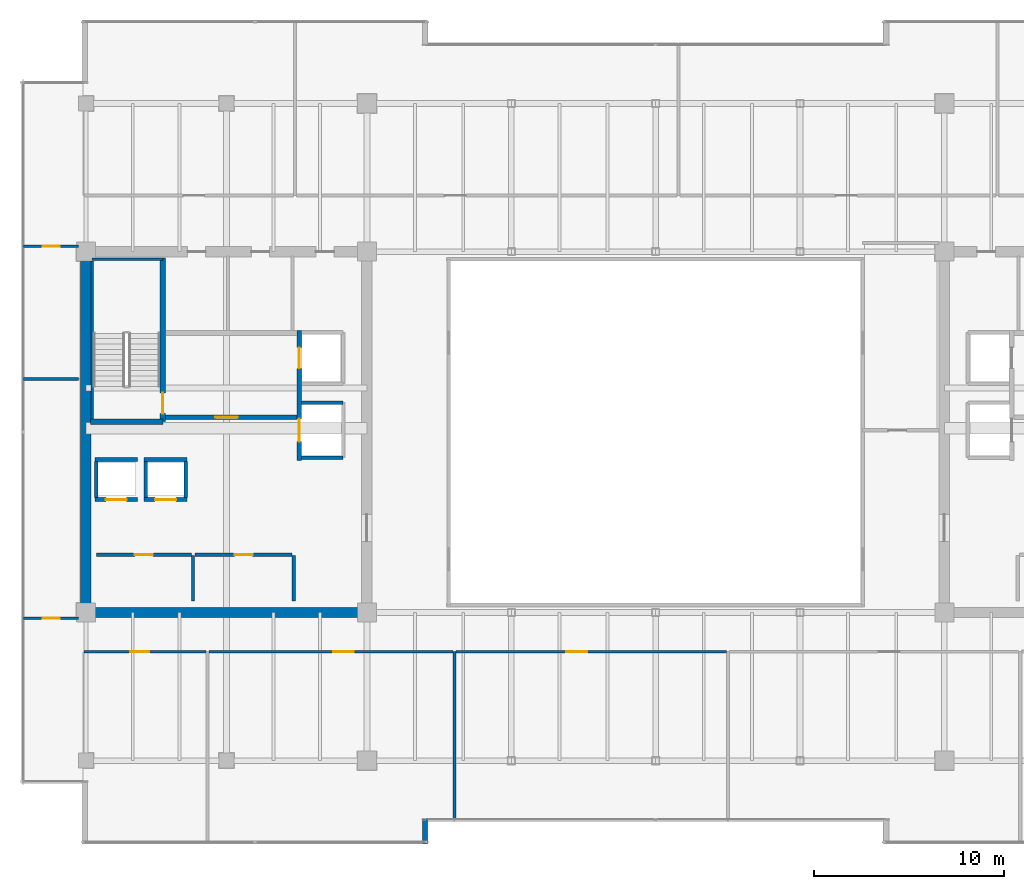
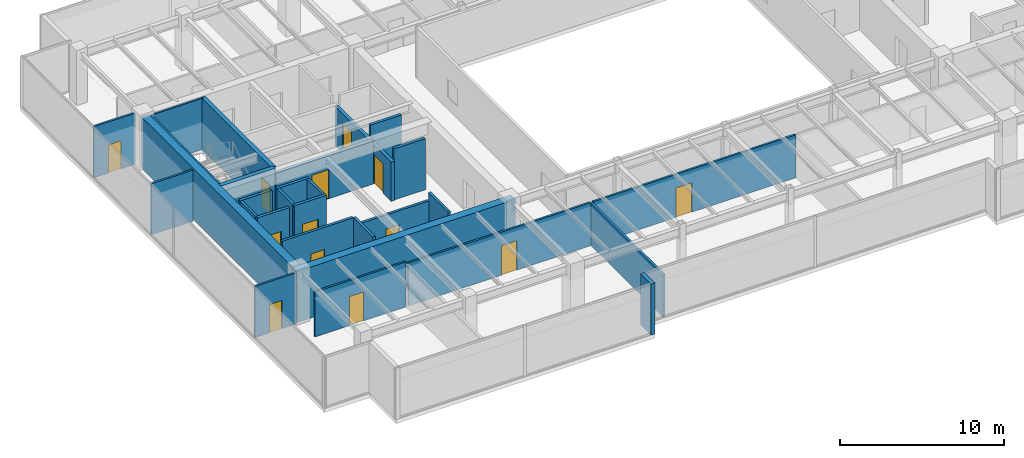
# One storey, part 28 of 35: 29 walls, 13 doors, 13 openings.
"""IFC4 building model written with IfcOpenShell, lengths in metres."""

from ifc_helpers import new_model, si_unit, direction, frame, frame_2d, origin, place, context, subcontext, project, spatial, rectangle, extrude, source, transform, mapped, material, layer, layer_set, type_object, type_shapes, element, fill, save


model = new_model("IFC4")

# Units and contexts
model_context = context("Model", 3, precision=1e-05, world=origin(), true_north=direction((0.0, 1.0)))
body_context = subcontext(model_context, "Body", "Model", "MODEL_VIEW")
ifc_project = project(units=[si_unit("LENGTHUNIT", "METRE"), si_unit("AREAUNIT", "SQUARE_METRE"), si_unit("VOLUMEUNIT", "CUBIC_METRE"), si_unit("PLANEANGLEUNIT", "RADIAN"), si_unit("MASSUNIT", "GRAM", prefix="KILO")], contexts=[model_context])

# Site, building, storey
site_placement = place(None, origin())
site = spatial("IfcSite", under=ifc_project, at=site_placement, CompositionType="ELEMENT")
building_placement = place(site_placement, origin())
building = spatial("IfcBuilding", under=site, at=building_placement, Name="Haelvirn Gate Laboratories", CompositionType="ELEMENT")
storey_placement = place(building_placement, frame((0.0, 0.0, 221.89990234375)))
storey = spatial("IfcBuildingStorey", under=building, at=storey_placement, Name="L53", CompositionType="ELEMENT", Elevation=221.89990234375)

# Walls
ifc_material_1 = material(Name="Thermally-broken bronze aluminium rainscreen & mineral wool", Category="aluminium")
ifc_layer_1 = layer(ifc_material_1, 0.280029296875, Name="EW-TERR-280")
ifc_layer_set_1 = layer_set([ifc_layer_1], Name="Thermally-broken bronze aluminium rainscreen & mineral wool")
wall_type_1 = type_object("IfcWallType", Name="EW-TERR-280", PredefinedType="STANDARD", material=ifc_layer_set_1)
wall_1_placement = place(storey_placement, frame((25.260009765625, 2.60009765625, 0.0), z_axis=(0.0, 0.0, 1.0), x_axis=(0.0, 1.0, 0.0)))
element("IfcWall", 1, at=wall_1_placement, inside=storey, type_object=wall_type_1, Name="L53 Atrium Recess Bronze Return Wall 01", PredefinedType="STANDARD", context=body_context, shape_type="SweptSolid", body=[
    extrude(rectangle(XDim=1.29296875, YDim=0.280029296875, at=frame_2d((0.646484375, 0.0))), origin(), (0.0, 0.0, 1.0), 3.800048828125),
])
ifc_material_2 = material(Name="Double-layer acoustic gypsum laboratory partition", Category="gypsum")
ifc_layer_2 = layer(ifc_material_2, 0.159912109375, Name="IW-ACOUST-160")
ifc_layer_set_2 = layer_set([ifc_layer_2], Name="Double-layer acoustic gypsum laboratory partition")
wall_type_2 = type_object("IfcWallType", Name="IW-ACOUST-160", PredefinedType="PARTITIONING", material=ifc_layer_set_2)
wall_2_placement = place(storey_placement, frame((26.800048828125, 3.909912109375, 0.0), z_axis=(0.0, 0.0, 1.0), x_axis=(0.0, 1.0, 0.0)))
element("IfcWall", 2, at=wall_2_placement, inside=storey, type_object=wall_type_2, Name="L53 Interior Wall IW-L53-SDIV-02", PredefinedType="PARTITIONING", context=body_context, shape_type="SweptSolid", body=[
    extrude(rectangle(XDim=8.830078125, YDim=0.159912109375, at=frame_2d((4.4150390625, 0.0))), origin(), (0.0, 0.0, 1.0), 3.135009765625),
])

# Wall, opening, door
ifc_material_3 = material(Name="Acoustic mineral-wool gypsum board partition", Category="gypsum")
ifc_layer_3 = layer(ifc_material_3, 0.139892578125, Name="IW-PART-140")
ifc_layer_set_3 = layer_set([ifc_layer_3], Name="Acoustic mineral-wool gypsum board partition")
wall_type_3 = type_object("IfcWallType", Name="IW-PART-140", PredefinedType="PARTITIONING", material=ifc_layer_set_3)
wall_3_placement = place(storey_placement, frame((7.31005859375, 12.739990234375, 0.0), z_axis=(0.0, 0.0, 1.0), x_axis=(1.0, 0.0, 0.0)))
wall_3 = element("IfcWall", 3, at=wall_3_placement, inside=storey, type_object=wall_type_3, Name="L53 Interior Wall IW-L53-SCORR-01", PredefinedType="PARTITIONING", context=body_context, shape_type="SweptSolid", body=[
    extrude(rectangle(XDim=6.409912109375, YDim=0.139892578125, at=frame_2d((3.205078125, 0.0))), origin(), (0.0, 0.0, 1.0), 3.335205078125),
])
opening_1_placement = place(wall_3_placement, frame((2.42236328125, 0.0, 0.0)))
opening_1 = element("IfcOpeningElement", 4, at=opening_1_placement, cuts=wall_3, Name="Opening D2", PredefinedType="OPENING", context=body_context, shape_type="SweptSolid", body=[
    extrude(rectangle(XDim=1.0, YDim=2.14990234375, at=frame_2d((0.5, 1.074951171875))), frame((0.0, 0.080078125, 0.0), z_axis=(0.0, -1.0, 0.0), x_axis=(1.0, 0.0, 0.0)), (0.0, 0.0, 1.0), 0.159912109375),
])
ifc_material_4 = material(Name="Acoustic solid-core timber suite door", Category="wood")
door_type_1 = type_object("IfcDoorType", Name="DR-INT-1000", OperationType="NOTDEFINED", PredefinedType="DOOR", material=ifc_material_4)
shared_shape_1 = source(origin(), body_context, "Body", "SweptSolid", [
    extrude(rectangle(XDim=1.0, YDim=2.14990234375, at=frame_2d((0.5, 1.074951171875))), frame((0.0, 0.02490234375, 0.0), z_axis=(0.0, -1.0, 0.0), x_axis=(1.0, 0.0, 0.0)), (0.0, 0.0, 1.0), 0.050048828125),
])
type_shapes(door_type_1, [shared_shape_1])
door_1_placement = place(opening_1_placement, origin())
door_1 = element("IfcDoor", 5, at=door_1_placement, inside=storey, type_object=door_type_1, Name="L53 Translational Data Office Door S1", OperationType="SINGLE_SWING_RIGHT", OverallHeight=2.14990234375, OverallWidth=1.0, PredefinedType="DOOR", context=body_context, shape_type="MappedRepresentation", body=[
    mapped(shared_shape_1, transform((0.0, 0.0, 0.0), scale=1.0)),
])
fill(opening_1, door_1)

wall_4_placement = place(storey_placement, frame((13.8798828125, 12.739990234375, 0.0), z_axis=(0.0, 0.0, 1.0), x_axis=(1.0, 0.0, 0.0)))
wall_4 = element("IfcWall", 6, at=wall_4_placement, inside=storey, type_object=wall_type_3, Name="L53 Interior Wall IW-L53-SCORR-02", PredefinedType="PARTITIONING", context=body_context, shape_type="SweptSolid", body=[
    extrude(rectangle(XDim=12.840087890625, YDim=0.139892578125, at=frame_2d((6.419921875, 0.0))), origin(), (0.0, 0.0, 1.0), 3.197021484375),
])
opening_2_placement = place(wall_4_placement, frame((6.532470703125, 0.0, 0.0)))
opening_2 = element("IfcOpeningElement", 7, at=opening_2_placement, cuts=wall_4, Name="Opening D1", PredefinedType="OPENING", context=body_context, shape_type="SweptSolid", body=[
    extrude(rectangle(XDim=1.10009765625, YDim=2.179931640625, at=frame_2d((0.550048828125, 1.08984375))), frame((0.0, 0.080078125, 0.0), z_axis=(0.0, -1.0, 0.0), x_axis=(1.0, 0.0, 0.0)), (0.0, 0.0, 1.0), 0.159912109375),
])
ifc_material_5 = material(Name="Vision-panel acoustic solid-core timber lab door", Category="wood")
door_type_2 = type_object("IfcDoorType", Name="DR-LAB-1100", OperationType="NOTDEFINED", PredefinedType="DOOR", material=ifc_material_5)
shared_shape_2 = source(origin(), body_context, "Body", "SweptSolid", [
    extrude(rectangle(XDim=1.10009765625, YDim=2.179931640625, at=frame_2d((0.550048828125, 1.08984375))), frame((0.0, 0.02490234375, 0.0), z_axis=(0.0, -1.0, 0.0), x_axis=(1.0, 0.0, 0.0)), (0.0, 0.0, 1.0), 0.050048828125),
])
type_shapes(door_type_2, [shared_shape_2])
door_2_placement = place(opening_2_placement, origin())
door_2 = element("IfcDoor", 8, at=door_2_placement, inside=storey, type_object=door_type_2, Name="L53 Computational Write-Up Office Door S2", OperationType="SINGLE_SWING_LEFT", OverallHeight=2.179931640625, OverallWidth=1.10009765625, PredefinedType="DOOR", context=body_context, shape_type="MappedRepresentation", body=[
    mapped(shared_shape_2, transform((0.0, 0.0, 0.0), scale=1.0)),
])
fill(opening_2, door_2)

wall_5_placement = place(storey_placement, frame((26.8798828125, 12.739990234375, 0.0), z_axis=(0.0, 0.0, 1.0), x_axis=(1.0, 0.0, 0.0)))
wall_5 = element("IfcWall", 9, at=wall_5_placement, inside=storey, type_object=wall_type_3, Name="L53 Interior Wall IW-L53-SCORR-03", PredefinedType="PARTITIONING", context=body_context, shape_type="SweptSolid", body=[
    extrude(rectangle(XDim=14.240234375, YDim=0.139892578125, at=frame_2d((7.1201171875, 0.0))), origin(), (0.0, 0.0, 1.0), 3.197021484375),
])
opening_3_placement = place(wall_5_placement, frame((5.823486328125, 0.0, 0.0)))
opening_3 = element("IfcOpeningElement", 10, at=opening_3_placement, cuts=wall_5, Name="Opening D1", PredefinedType="OPENING", context=body_context, shape_type="SweptSolid", body=[
    extrude(rectangle(XDim=1.10009765625, YDim=2.179931640625, at=frame_2d((0.550048828125, 1.08984375))), frame((0.0, 0.080078125, 0.0), z_axis=(0.0, -1.0, 0.0), x_axis=(1.0, 0.0, 0.0)), (0.0, 0.0, 1.0), 0.159912109375),
])
door_3_placement = place(opening_3_placement, origin())
door_3 = element("IfcDoor", 11, at=door_3_placement, inside=storey, type_object=door_type_2, Name="L53 Bioinformatics Dry-Lab Workspace Door S3", OperationType="SINGLE_SWING_RIGHT", OverallHeight=2.179931640625, OverallWidth=1.10009765625, PredefinedType="DOOR", context=body_context, shape_type="MappedRepresentation", body=[
    mapped(shared_shape_2, transform((0.0, 0.0, 0.0), scale=1.0)),
])
fill(opening_3, door_3)

# Wall
wall_6_placement = place(storey_placement, frame((4.110107421875, 27.10009765625, 0.0), z_axis=(0.0, 0.0, 1.0), x_axis=(1.0, 0.0, 0.0)))
element("IfcWall", 12, at=wall_6_placement, inside=storey, type_object=wall_type_3, Name="L53 Interior Wall IW-L53-WZ3-MID", PredefinedType="PARTITIONING", context=body_context, shape_type="SweptSolid", body=[
    extrude(rectangle(XDim=2.909912109375, YDim=0.139892578125, at=frame_2d((1.455078125, 0.0))), origin(), (0.0, 0.0, 1.0), 3.800048828125),
])

# Wall, opening, door
wall_7_placement = place(storey_placement, frame((4.110107421875, 14.5048828125, 0.0), z_axis=(0.0, 0.0, 1.0), x_axis=(1.0, 0.0, 0.0)))
wall_7 = element("IfcWall", 13, at=wall_7_placement, inside=storey, type_object=wall_type_3, Name="L53 Interior Wall IW-L53-WZ3-ENT-S", PredefinedType="PARTITIONING", context=body_context, shape_type="SweptSolid", body=[
    extrude(rectangle(XDim=2.909912109375, YDim=0.139892578125, at=frame_2d((1.455078125, 0.0))), origin(), (0.0, 0.0, 1.0), 3.800048828125),
])
opening_4_placement = place(wall_7_placement, frame((1.0048828125, 0.0, 0.0)))
opening_4 = element("IfcOpeningElement", 14, at=opening_4_placement, cuts=wall_7, Name="Opening D4", PredefinedType="OPENING", context=body_context, shape_type="SweptSolid", body=[
    extrude(rectangle(XDim=0.89990234375, YDim=2.10009765625, at=frame_2d((0.449951171875, 1.050048828125))), frame((0.0, 0.080078125, 0.0), z_axis=(0.0, -1.0, 0.0), x_axis=(1.0, 0.0, 0.0)), (0.0, 0.0, 1.0), 0.159912109375),
])
ifc_material_6 = material(Name="Glazed aluminium-framed write-up door", Category="aluminium")
door_type_3 = type_object("IfcDoorType", Name="DR-OFF-900", OperationType="NOTDEFINED", PredefinedType="DOOR", material=ifc_material_6)
shared_shape_3 = source(origin(), body_context, "Body", "SweptSolid", [
    extrude(rectangle(XDim=0.89990234375, YDim=2.10009765625, at=frame_2d((0.449951171875, 1.050048828125))), frame((0.0, 0.02490234375, 0.0), z_axis=(0.0, -1.0, 0.0), x_axis=(1.0, 0.0, 0.0)), (0.0, 0.0, 1.0), 0.050048828125),
])
type_shapes(door_type_3, [shared_shape_3])
door_4_placement = place(opening_4_placement, origin())
door_4 = element("IfcDoor", 15, at=door_4_placement, inside=storey, type_object=door_type_3, Name="L53 Cleanroom Metrology Suite Door W-S", OperationType="SINGLE_SWING_LEFT", OverallHeight=2.10009765625, OverallWidth=0.89990234375, PredefinedType="DOOR", context=body_context, shape_type="MappedRepresentation", body=[
    mapped(shared_shape_3, transform((0.0, 0.0, 0.0), scale=1.0)),
])
fill(opening_4, door_4)

wall_8_placement = place(storey_placement, frame((4.110107421875, 34.094970703125, 0.0), z_axis=(0.0, 0.0, 1.0), x_axis=(1.0, 0.0, 0.0)))
wall_8 = element("IfcWall", 16, at=wall_8_placement, inside=storey, type_object=wall_type_3, Name="L53 Interior Wall IW-L53-WZ3-ENT-N", PredefinedType="PARTITIONING", context=body_context, shape_type="SweptSolid", body=[
    extrude(rectangle(XDim=2.909912109375, YDim=0.139892578125, at=frame_2d((1.455078125, 0.0))), origin(), (0.0, 0.0, 1.0), 3.800048828125),
])
opening_5_placement = place(wall_8_placement, frame((1.0048828125, 0.0, 0.0)))
opening_5 = element("IfcOpeningElement", 17, at=opening_5_placement, cuts=wall_8, Name="Opening D4", PredefinedType="OPENING", context=body_context, shape_type="SweptSolid", body=[
    extrude(rectangle(XDim=0.89990234375, YDim=2.10009765625, at=frame_2d((0.449951171875, 1.050048828125))), frame((0.0, 0.080078125, 0.0), z_axis=(0.0, -1.0, 0.0), x_axis=(1.0, 0.0, 0.0)), (0.0, 0.0, 1.0), 0.159912109375),
])
door_5_placement = place(opening_5_placement, origin())
door_5 = element("IfcDoor", 18, at=door_5_placement, inside=storey, type_object=door_type_3, Name="L53 Floor Hydration & Tea Servery Door W-N", OperationType="SINGLE_SWING_RIGHT", OverallHeight=2.10009765625, OverallWidth=0.89990234375, PredefinedType="DOOR", context=body_context, shape_type="MappedRepresentation", body=[
    mapped(shared_shape_3, transform((0.0, 0.0, 0.0), scale=1.0)),
])
fill(opening_5, door_5)

# Walls
ifc_material_7 = material(Name="Concrete C40/50", Category="concrete")
ifc_layer_4 = layer(ifc_material_7, 0.179931640625, Name="IW-SHAFT-180")
ifc_layer_set_4 = layer_set([ifc_layer_4], Name="Concrete C40/50")
wall_type_4 = type_object("IfcWallType", Name="IW-SHAFT-180", PredefinedType="SOLIDWALL", material=ifc_layer_set_4)
for number, where, z_axis, x_axis, name in (
    (19, (7.949951171875, 20.85009765625, 0.0), (0.0, 0.0, 1.0), (0.0, 1.0, 0.0), "L53 Interior Wall IW-L53-PL9-SD"),
    (20, (10.550048828125, 20.85009765625, 0.0), (0.0, 0.0, 1.0), (0.0, 1.0, 0.0), "L53 Interior Wall IW-L53-PL10-SD"),
    (21, (12.64990234375, 20.85009765625, 0.0), (0.0, 0.0, 1.0), (0.0, 1.0, 0.0), "L53 Interior Wall IW-L53-PL10-SDE"),
):
    element("IfcWall", number, at=place(storey_placement, frame(where, z_axis=z_axis, x_axis=x_axis)), inside=storey, type_object=wall_type_4, Name=name, PredefinedType="SOLIDWALL", context=body_context, shape_type="SweptSolid", body=[
        extrude(rectangle(XDim=1.89990234375, YDim=0.179931640625, at=frame_2d((0.949951171875, 0.0))), origin(), (0.0, 0.0, 1.0), 3.800048828125),
    ])

# Wall, opening, door
wall_9_placement = place(storey_placement, frame((7.949951171875, 17.85009765625, 0.0), z_axis=(0.0, 0.0, 1.0), x_axis=(1.0, 0.0, 0.0)))
wall_9 = element("IfcWall", 22, at=wall_9_placement, inside=storey, type_object=wall_type_4, Name="L53 Interior Wall IW-L53-W-FREED-HN-1", PredefinedType="SOLIDWALL", context=body_context, shape_type="SweptSolid", body=[
    extrude(rectangle(XDim=5.0, YDim=0.179931640625, at=frame_2d((2.5, 0.0))), origin(), (0.0, 0.0, 1.0), 3.800048828125),
])
opening_6_placement = place(wall_9_placement, frame((2.02490234375, 0.0, 0.0)))
opening_6 = element("IfcOpeningElement", 23, at=opening_6_placement, cuts=wall_9, Name="Opening FD4", PredefinedType="OPENING", context=body_context, shape_type="SweptSolid", body=[
    extrude(rectangle(XDim=0.949951171875, YDim=2.14990234375, at=frame_2d((0.47509765625, 1.074951171875))), frame((0.0, 0.10009765625, 0.0), z_axis=(0.0, -1.0, 0.0), x_axis=(1.0, 0.0, 0.0)), (0.0, 0.0, 1.0), 0.199951171875),
])
ifc_material_8 = material(Name="Fire-rated steel SM355 core service door", Category="steel")
door_type_4 = type_object("IfcDoorType", Name="DR-FD-950", OperationType="NOTDEFINED", PredefinedType="DOOR", material=ifc_material_8)
shared_shape_4 = source(origin(), body_context, "Body", "SweptSolid", [
    extrude(rectangle(XDim=0.949951171875, YDim=2.14990234375, at=frame_2d((0.47509765625, 1.074951171875))), frame((0.0, 0.02490234375, 0.0), z_axis=(0.0, -1.0, 0.0), x_axis=(1.0, 0.0, 0.0)), (0.0, 0.0, 1.0), 0.050048828125),
])
type_shapes(door_type_4, [shared_shape_4])
door_6_placement = place(opening_6_placement, origin())
door_6 = element("IfcDoor", 24, at=door_6_placement, inside=storey, type_object=door_type_4, Name="L53 Cryogenic Specimen Biobank Door", OperationType="SINGLE_SWING_LEFT", OverallHeight=2.14990234375, OverallWidth=0.949951171875, PredefinedType="DOOR", context=body_context, shape_type="MappedRepresentation", body=[
    mapped(shared_shape_4, transform((0.0, 0.0, 0.0), scale=1.0)),
])
fill(opening_6, door_6)

# Wall
wall_10_placement = place(storey_placement, frame((13.0400390625, 15.39990234375, 0.0), z_axis=(0.0, 0.0, 1.0), x_axis=(0.0, 1.0, 0.0)))
element("IfcWall", 25, at=wall_10_placement, inside=storey, type_object=wall_type_4, Name="L53 Interior Wall IW-L53-W-FREED-HE-1", PredefinedType="SOLIDWALL", context=body_context, shape_type="SweptSolid", body=[
    extrude(rectangle(XDim=2.400146484375, YDim=0.179931640625, at=frame_2d((1.2001953125, 0.0))), origin(), (0.0, 0.0, 1.0), 3.800048828125),
])

# Wall, opening, door
wall_11_placement = place(storey_placement, frame((13.14990234375, 17.85009765625, 0.0), z_axis=(0.0, 0.0, 1.0), x_axis=(1.0, 0.0, 0.0)))
wall_11 = element("IfcWall", 26, at=wall_11_placement, inside=storey, type_object=wall_type_4, Name="L53 Interior Wall IW-L53-W-FREED-HN-2", PredefinedType="SOLIDWALL", context=body_context, shape_type="SweptSolid", body=[
    extrude(rectangle(XDim=5.10009765625, YDim=0.179931640625, at=frame_2d((2.550048828125, 0.0))), origin(), (0.0, 0.0, 1.0), 3.197021484375),
])
opening_7_placement = place(wall_11_placement, frame((2.074951171875, 0.0, 0.0)))
opening_7 = element("IfcOpeningElement", 27, at=opening_7_placement, cuts=wall_11, Name="Opening FD4", PredefinedType="OPENING", context=body_context, shape_type="SweptSolid", body=[
    extrude(rectangle(XDim=0.949951171875, YDim=2.14990234375, at=frame_2d((0.47509765625, 1.074951171875))), frame((0.0, 0.10009765625, 0.0), z_axis=(0.0, -1.0, 0.0), x_axis=(1.0, 0.0, 0.0)), (0.0, 0.0, 1.0), 0.199951171875),
])
door_7_placement = place(opening_7_placement, origin())
door_7 = element("IfcDoor", 28, at=door_7_placement, inside=storey, type_object=door_type_4, Name="L53 Cryo-Assay Preparation Laboratory Door", OperationType="SINGLE_SWING_RIGHT", OverallHeight=2.14990234375, OverallWidth=0.949951171875, PredefinedType="DOOR", context=body_context, shape_type="MappedRepresentation", body=[
    mapped(shared_shape_4, transform((0.0, 0.0, 0.0), scale=1.0)),
])
fill(opening_7, door_7)

# Wall
wall_12_placement = place(storey_placement, frame((18.340087890625, 15.39990234375, 0.0), z_axis=(0.0, 0.0, 1.0), x_axis=(0.0, 1.0, 0.0)))
element("IfcWall", 29, at=wall_12_placement, inside=storey, type_object=wall_type_4, Name="L53 Interior Wall IW-L53-W-FREED-HE-2", PredefinedType="SOLIDWALL", context=body_context, shape_type="SweptSolid", body=[
    extrude(rectangle(XDim=2.400146484375, YDim=0.179931640625, at=frame_2d((1.2001953125, 0.0))), origin(), (0.0, 0.0, 1.0), 3.800048828125),
])

# Wall, opening, door
ifc_layer_5 = layer(ifc_material_7, 0.199951171875, Name="IW-SHAFT-200")
ifc_layer_set_5 = layer_set([ifc_layer_5], Name="Concrete C40/50")
wall_type_5 = type_object("IfcWallType", Name="IW-SHAFT-200", PredefinedType="SOLIDWALL", material=ifc_layer_set_5)
wall_13_placement = place(storey_placement, frame((7.8701171875, 20.75, 0.0), z_axis=(0.0, 0.0, 1.0), x_axis=(1.0, 0.0, 0.0)))
wall_13 = element("IfcWall", 30, at=wall_13_placement, inside=storey, type_object=wall_type_5, Name="L53 Interior Wall IW-L53-PL9-FR", PredefinedType="SOLIDWALL", context=body_context, shape_type="SweptSolid", body=[
    extrude(rectangle(XDim=2.259765625, YDim=0.199951171875, at=frame_2d((1.1298828125, 0.0))), origin(), (0.0, 0.0, 1.0), 3.800048828125),
])
opening_8_placement = place(wall_13_placement, frame((0.580078125, 0.0, 0.0)))
opening_8 = element("IfcOpeningElement", 31, at=opening_8_placement, cuts=wall_13, Name="Opening LD2", PredefinedType="OPENING", context=body_context, shape_type="SweptSolid", body=[
    extrude(rectangle(XDim=1.10009765625, YDim=2.219970703125, at=frame_2d((0.550048828125, 1.10986328125))), frame((0.0, 0.10986328125, 0.0), z_axis=(0.0, -1.0, 0.0), x_axis=(1.0, 0.0, 0.0)), (0.0, 0.0, 1.0), 0.219970703125),
])
ifc_material_9 = material(Name="Bronze stainless 316L sliding lift landing door")
door_type_5 = type_object("IfcDoorType", Name="DR-LD-1100", OperationType="NOTDEFINED", PredefinedType="USERDEFINED", material=ifc_material_9)
shared_shape_5 = source(origin(), body_context, "Body", "SweptSolid", [
    extrude(rectangle(XDim=1.10009765625, YDim=2.219970703125, at=frame_2d((0.550048828125, 1.10986328125))), frame((0.0, 0.02490234375, 0.0), z_axis=(0.0, -1.0, 0.0), x_axis=(1.0, 0.0, 0.0)), (0.0, 0.0, 1.0), 0.050048828125),
])
type_shapes(door_type_5, [shared_shape_5])
door_8_placement = place(opening_8_placement, origin())
door_8 = element("IfcDoor", 32, at=door_8_placement, inside=storey, type_object=door_type_5, Name="L53 Passenger Lift PL9 Landing Door", ObjectType="LANDING_DOOR", OperationType="SLIDING_TO_LEFT", OverallHeight=2.219970703125, OverallWidth=1.10009765625, PredefinedType="USERDEFINED", context=body_context, shape_type="MappedRepresentation", body=[
    mapped(shared_shape_5, transform((0.0, 0.0, 0.0), scale=1.0)),
])
fill(opening_8, door_8)

# Wall
wall_14_placement = place(storey_placement, frame((7.8701171875, 22.85009765625, 0.0), z_axis=(0.0, 0.0, 1.0), x_axis=(1.0, 0.0, 0.0)))
element("IfcWall", 33, at=wall_14_placement, inside=storey, type_object=wall_type_5, Name="L53 Interior Wall IW-L53-PL9-BK", PredefinedType="SOLIDWALL", context=body_context, shape_type="SweptSolid", body=[
    extrude(rectangle(XDim=2.259765625, YDim=0.199951171875, at=frame_2d((1.1298828125, 0.0))), origin(), (0.0, 0.0, 1.0), 3.800048828125),
])

# Wall, opening, door
wall_15_placement = place(storey_placement, frame((10.469970703125, 20.75, 0.0), z_axis=(0.0, 0.0, 1.0), x_axis=(1.0, 0.0, 0.0)))
wall_15 = element("IfcWall", 34, at=wall_15_placement, inside=storey, type_object=wall_type_5, Name="L53 Interior Wall IW-L53-PL10-FR", PredefinedType="SOLIDWALL", context=body_context, shape_type="SweptSolid", body=[
    extrude(rectangle(XDim=2.260009765625, YDim=0.199951171875, at=frame_2d((1.1298828125, 0.0))), origin(), (0.0, 0.0, 1.0), 3.800048828125),
])
opening_9_placement = place(wall_15_placement, frame((0.580078125, 0.0, 0.0)))
opening_9 = element("IfcOpeningElement", 35, at=opening_9_placement, cuts=wall_15, Name="Opening LD2", PredefinedType="OPENING", context=body_context, shape_type="SweptSolid", body=[
    extrude(rectangle(XDim=1.10009765625, YDim=2.219970703125, at=frame_2d((0.550048828125, 1.10986328125))), frame((0.0, 0.10986328125, 0.0), z_axis=(0.0, -1.0, 0.0), x_axis=(1.0, 0.0, 0.0)), (0.0, 0.0, 1.0), 0.219970703125),
])
door_9_placement = place(opening_9_placement, origin())
door_9 = element("IfcDoor", 36, at=door_9_placement, inside=storey, type_object=door_type_5, Name="L53 Passenger Lift PL10 Landing Door", ObjectType="LANDING_DOOR", OperationType="SLIDING_TO_RIGHT", OverallHeight=2.219970703125, OverallWidth=1.10009765625, PredefinedType="USERDEFINED", context=body_context, shape_type="MappedRepresentation", body=[
    mapped(shared_shape_5, transform((0.0, 0.0, 0.0), scale=1.0)),
])
fill(opening_9, door_9)

# Walls
wall_16_placement = place(storey_placement, frame((10.469970703125, 22.85009765625, 0.0), z_axis=(0.0, 0.0, 1.0), x_axis=(1.0, 0.0, 0.0)))
element("IfcWall", 37, at=wall_16_placement, inside=storey, type_object=wall_type_5, Name="L53 Interior Wall IW-L53-PL10-BK", PredefinedType="SOLIDWALL", context=body_context, shape_type="SweptSolid", body=[
    extrude(rectangle(XDim=2.260009765625, YDim=0.199951171875, at=frame_2d((1.1298828125, 0.0))), origin(), (0.0, 0.0, 1.0), 3.800048828125),
])
for number, where, z_axis, x_axis, name in (
    (38, (18.760009765625, 25.85009765625, 0.0), (0.0, 0.0, 1.0), (1.0, 0.0, 0.0), "L53 Interior Wall IW-L53-SL1-N"),
    (39, (18.760009765625, 22.949951171875, 0.0), (0.0, 0.0, 1.0), (1.0, 0.0, 0.0), "L53 Interior Wall IW-L53-SL1-S"),
):
    element("IfcWall", number, at=place(storey_placement, frame(where, z_axis=z_axis, x_axis=x_axis)), inside=storey, type_object=wall_type_5, Name=name, PredefinedType="SOLIDWALL", context=body_context, shape_type="SweptSolid", body=[
        extrude(rectangle(XDim=2.18994140625, YDim=0.199951171875, at=frame_2d((1.094970703125, 0.0))), origin(), (0.0, 0.0, 1.0), 3.800048828125),
    ])

# Wall, opening, door
ifc_layer_6 = layer(ifc_material_7, 0.239990234375, Name="IW-SHAFT-240")
ifc_layer_set_6 = layer_set([ifc_layer_6], Name="Concrete C40/50")
wall_type_6 = type_object("IfcWallType", Name="IW-SHAFT-240", PredefinedType="SOLIDWALL", material=ifc_layer_set_6)
wall_17_placement = place(storey_placement, frame((11.60009765625, 25.080078125, 0.0), z_axis=(0.0, 0.0, 1.0), x_axis=(1.0, 0.0, 0.0)))
wall_17 = element("IfcWall", 40, at=wall_17_placement, inside=storey, type_object=wall_type_6, Name="L53 Interior Wall IW-L53-W-FF-S", PredefinedType="SOLIDWALL", context=body_context, shape_type="SweptSolid", body=[
    extrude(rectangle(XDim=6.919921875, YDim=0.239990234375, at=frame_2d((3.4599609375, 0.0))), origin(), (0.0, 0.0, 1.0), 3.197021484375),
])
opening_10_placement = place(wall_17_placement, frame((2.60009765625, 0.0, 0.0)))
opening_10 = element("IfcOpeningElement", 41, at=opening_10_placement, cuts=wall_17, Name="Opening FD2", PredefinedType="OPENING", context=body_context, shape_type="SweptSolid", body=[
    extrude(rectangle(XDim=1.199951171875, YDim=2.159912109375, at=frame_2d((0.60009765625, 1.080078125))), frame((0.0, 0.1298828125, 0.0), z_axis=(0.0, -1.0, 0.0), x_axis=(1.0, 0.0, 0.0)), (0.0, 0.0, 1.0), 0.260009765625),
])
ifc_material_10 = material(Name="Fire-rated steel SM355 compartment door", Category="steel")
door_type_6 = type_object("IfcDoorType", Name="DR-FD-1200", OperationType="NOTDEFINED", PredefinedType="DOOR", material=ifc_material_10)
shared_shape_6 = source(origin(), body_context, "Body", "SweptSolid", [
    extrude(rectangle(XDim=1.199951171875, YDim=2.159912109375, at=frame_2d((0.60009765625, 1.080078125))), frame((0.0, 0.02490234375, 0.0), z_axis=(0.0, -1.0, 0.0), x_axis=(1.0, 0.0, 0.0)), (0.0, 0.0, 1.0), 0.050048828125),
])
type_shapes(door_type_6, [shared_shape_6])
door_10_placement = place(opening_10_placement, origin())
door_10 = element("IfcDoor", 42, at=door_10_placement, inside=storey, type_object=door_type_6, Name="L53 West Firefighting Lobby Door", OperationType="SINGLE_SWING_RIGHT", OverallHeight=2.159912109375, OverallWidth=1.199951171875, PredefinedType="DOOR", context=body_context, shape_type="MappedRepresentation", body=[
    mapped(shared_shape_6, transform((0.0, 0.0, 0.0), scale=1.0)),
])
fill(opening_10, door_10)

# Wall, openings, doors
wall_18_placement = place(storey_placement, frame((18.639892578125, 22.800048828125, 0.0), z_axis=(0.0, 0.0, 1.0), x_axis=(0.0, 1.0, 0.0)))
wall_18 = element("IfcWall", 43, at=wall_18_placement, inside=storey, type_object=wall_type_6, Name="L53 Interior Wall IW-L53-W-FF-E", PredefinedType="SOLIDWALL", context=body_context, shape_type="SweptSolid", body=[
    extrude(rectangle(XDim=6.849853515625, YDim=0.239990234375, at=frame_2d((3.4248046875, 0.0))), origin(), (0.0, 0.0, 1.0), 2.93505859375),
])
opening_11_placement = place(wall_18_placement, frame((4.85009765625, 0.0, 0.0)))
opening_11 = element("IfcOpeningElement", 44, at=opening_11_placement, cuts=wall_18, Name="Opening LD2", PredefinedType="OPENING", context=body_context, shape_type="SweptSolid", body=[
    extrude(rectangle(XDim=1.10009765625, YDim=2.219970703125, at=frame_2d((0.550048828125, 1.10986328125))), frame((0.0, 0.1298828125, 0.0), z_axis=(0.0, -1.0, 0.0), x_axis=(1.0, 0.0, 0.0)), (0.0, 0.0, 1.0), 0.260009765625),
])
opening_12_placement = place(wall_18_placement, frame((1.0, 0.0, 0.0)))
opening_12 = element("IfcOpeningElement", 45, at=opening_12_placement, cuts=wall_18, Name="Opening LD1", PredefinedType="OPENING", context=body_context, shape_type="SweptSolid", body=[
    extrude(rectangle(XDim=1.199951171875, YDim=2.219970703125, at=frame_2d((0.60009765625, 1.10986328125))), frame((0.0, 0.1298828125, 0.0), z_axis=(0.0, -1.0, 0.0), x_axis=(1.0, 0.0, 0.0)), (0.0, 0.0, 1.0), 0.260009765625),
])
door_11_placement = place(opening_11_placement, origin())
door_11 = element("IfcDoor", 46, at=door_11_placement, inside=storey, type_object=door_type_5, Name="L53 Firefighting Lift FL1 Landing Door", ObjectType="LANDING_DOOR", OperationType="SLIDING_TO_LEFT", OverallHeight=2.219970703125, OverallWidth=1.10009765625, PredefinedType="USERDEFINED", context=body_context, shape_type="MappedRepresentation", body=[
    mapped(shared_shape_5, transform((0.0, 0.0, 0.0), scale=1.0)),
])
fill(opening_11, door_11)
ifc_material_11 = material(Name="Stainless steel 316L sliding goods landing door", Category="steel")
door_type_7 = type_object("IfcDoorType", Name="DR-LD-1200", OperationType="NOTDEFINED", PredefinedType="USERDEFINED", material=ifc_material_11)
shared_shape_7 = source(origin(), body_context, "Body", "SweptSolid", [
    extrude(rectangle(XDim=1.199951171875, YDim=2.219970703125, at=frame_2d((0.60009765625, 1.10986328125))), frame((0.0, 0.02490234375, 0.0), z_axis=(0.0, -1.0, 0.0), x_axis=(1.0, 0.0, 0.0)), (0.0, 0.0, 1.0), 0.050048828125),
])
type_shapes(door_type_7, [shared_shape_7])
door_12_placement = place(opening_12_placement, origin())
door_12 = element("IfcDoor", 47, at=door_12_placement, inside=storey, type_object=door_type_7, Name="L53 Service Lift SL1 Landing Door", ObjectType="LANDING_DOOR", OperationType="SLIDING_TO_RIGHT", OverallHeight=2.219970703125, OverallWidth=1.199951171875, PredefinedType="USERDEFINED", context=body_context, shape_type="MappedRepresentation", body=[
    mapped(shared_shape_7, transform((0.0, 0.0, 0.0), scale=1.0)),
])
fill(opening_12, door_12)

# Walls
ifc_material_12 = material(Name="Concrete C50/60", Category="concrete")
ifc_layer_7 = layer(ifc_material_12, 0.550048828125, Name="SW-CORE-550")
ifc_layer_set_7 = layer_set([ifc_layer_7], Name="Concrete C50/60")
wall_type_7 = type_object("IfcWallType", Name="SW-CORE-550", PredefinedType="SHEAR", material=ifc_layer_set_7)
wall_19_placement = place(storey_placement, frame((7.125, 14.800048828125, 0.0), z_axis=(0.0, 0.0, 1.0), x_axis=(1.0, 0.0, 0.0)))
element("IfcWall", 48, at=wall_19_placement, inside=storey, type_object=wall_type_7, Name="L53 W Core Shear Wall S", PredefinedType="SHEAR", context=body_context, shape_type="SweptSolid", body=[
    extrude(rectangle(XDim=15.35009765625, YDim=0.550048828125, at=frame_2d((7.675048828125, 0.0))), origin(), (0.0, 0.0, 1.0), 3.800048828125),
])
wall_20_placement = place(storey_placement, frame((7.39990234375, 15.074951171875, 0.0), z_axis=(0.0, 0.0, 1.0), x_axis=(0.0, 1.0, 0.0)))
element("IfcWall", 49, at=wall_20_placement, inside=storey, type_object=wall_type_7, Name="L53 W Core Shear Wall W", PredefinedType="SHEAR", context=body_context, shape_type="SweptSolid", body=[
    extrude(rectangle(XDim=18.449951171875, YDim=0.550048828125, at=frame_2d((9.22509765625, 0.0))), origin(), (0.0, 0.0, 1.0), 3.800048828125),
])
ifc_layer_8 = layer(ifc_material_12, 0.1201171875, Name="SW-LINER-120")
ifc_layer_set_8 = layer_set([ifc_layer_8], Name="Concrete C50/60")
wall_type_8 = type_object("IfcWallType", Name="SW-LINER-120", PredefinedType="SOLIDWALL", material=ifc_layer_set_8)
wall_21_placement = place(storey_placement, frame((7.72998046875, 33.39990234375, 0.0), z_axis=(0.0, 0.0, 1.0), x_axis=(1.0, 0.0, 0.0)))
element("IfcWall", 50, at=wall_21_placement, inside=storey, type_object=wall_type_8, Name="L53 W Core Stair Shaft Liner Wall N", PredefinedType="SOLIDWALL", context=body_context, shape_type="SweptSolid", body=[
    extrude(rectangle(XDim=3.719970703125, YDim=0.1201171875, at=frame_2d((1.85986328125, 0.0))), origin(), (0.0, 0.0, 1.0), 3.800048828125),
])
wall_22_placement = place(storey_placement, frame((7.72998046875, 25.0, 0.0), z_axis=(0.0, 0.0, 1.0), x_axis=(0.0, 1.0, 0.0)))
element("IfcWall", 51, at=wall_22_placement, inside=storey, type_object=wall_type_8, Name="L53 W Core Stair Shaft Liner Wall OUT", PredefinedType="SOLIDWALL", context=body_context, shape_type="SweptSolid", body=[
    extrude(rectangle(XDim=8.320068359375, YDim=0.1201171875, at=frame_2d((4.16015625, 0.0))), origin(), (0.0, 0.0, 1.0), 3.800048828125),
])

# Wall, opening, door
ifc_layer_9 = layer(ifc_material_12, 0.300048828125, Name="SW-STAIR-300")
ifc_layer_set_9 = layer_set([ifc_layer_9], Name="Concrete C50/60")
wall_type_9 = type_object("IfcWallType", Name="SW-STAIR-300", PredefinedType="SHEAR", material=ifc_layer_set_9)
wall_23_placement = place(storey_placement, frame((11.449951171875, 24.85009765625, 0.0), z_axis=(0.0, 0.0, 1.0), x_axis=(0.0, 1.0, 0.0)))
wall_23 = element("IfcWall", 52, at=wall_23_placement, inside=storey, type_object=wall_type_9, Name="L53 W Core Stair Shaft Structural Wall IN", PredefinedType="SHEAR", context=body_context, shape_type="SweptSolid", body=[
    extrude(rectangle(XDim=8.6298828125, YDim=0.300048828125, at=frame_2d((4.31494140625, 0.0))), origin(), (0.0, 0.0, 1.0), 3.800048828125),
])
opening_13_placement = place(wall_23_placement, frame((0.419921875, 0.0, 0.0)))
opening_13 = element("IfcOpeningElement", 53, at=opening_13_placement, cuts=wall_23, Name="Opening FD3", PredefinedType="OPENING", context=body_context, shape_type="SweptSolid", body=[
    extrude(rectangle(XDim=1.10009765625, YDim=2.14990234375, at=frame_2d((0.550048828125, 1.074951171875))), frame((0.0, 0.16015625, 0.0), z_axis=(0.0, -1.0, 0.0), x_axis=(1.0, 0.0, 0.0)), (0.0, 0.0, 1.0), 0.320068359375),
])
ifc_material_13 = material(Name="Fire-rated steel SM355 escape stair door", Category="steel")
door_type_8 = type_object("IfcDoorType", Name="DR-FD-1100", OperationType="NOTDEFINED", PredefinedType="DOOR", material=ifc_material_13)
shared_shape_8 = source(origin(), body_context, "Body", "SweptSolid", [
    extrude(rectangle(XDim=1.10009765625, YDim=2.14990234375, at=frame_2d((0.550048828125, 1.074951171875))), frame((0.0, 0.02490234375, 0.0), z_axis=(0.0, -1.0, 0.0), x_axis=(1.0, 0.0, 0.0)), (0.0, 0.0, 1.0), 0.050048828125),
])
type_shapes(door_type_8, [shared_shape_8])
door_13_placement = place(opening_13_placement, origin())
door_13 = element("IfcDoor", 54, at=door_13_placement, inside=storey, type_object=door_type_8, Name="L53 Escape Stair ST1 Fire Door", OperationType="SINGLE_SWING_LEFT", OverallHeight=2.14990234375, OverallWidth=1.10009765625, PredefinedType="DOOR", context=body_context, shape_type="MappedRepresentation", body=[
    mapped(shared_shape_8, transform((0.0, 0.0, 0.0), scale=1.0)),
])
fill(opening_13, door_13)

# Wall
wall_24_placement = place(storey_placement, frame((7.64990234375, 24.85009765625, 0.0), z_axis=(0.0, 0.0, 1.0), x_axis=(1.0, 0.0, 0.0)))
element("IfcWall", 55, at=wall_24_placement, inside=storey, type_object=wall_type_9, Name="L53 W Core Stair Shaft Structural Wall S", PredefinedType="SHEAR", context=body_context, shape_type="SweptSolid", body=[
    extrude(rectangle(XDim=3.800048828125, YDim=0.300048828125, at=frame_2d((1.89990234375, 0.0))), origin(), (0.0, 0.0, 1.0), 3.800048828125),
])

save(model, "model.ifc")
